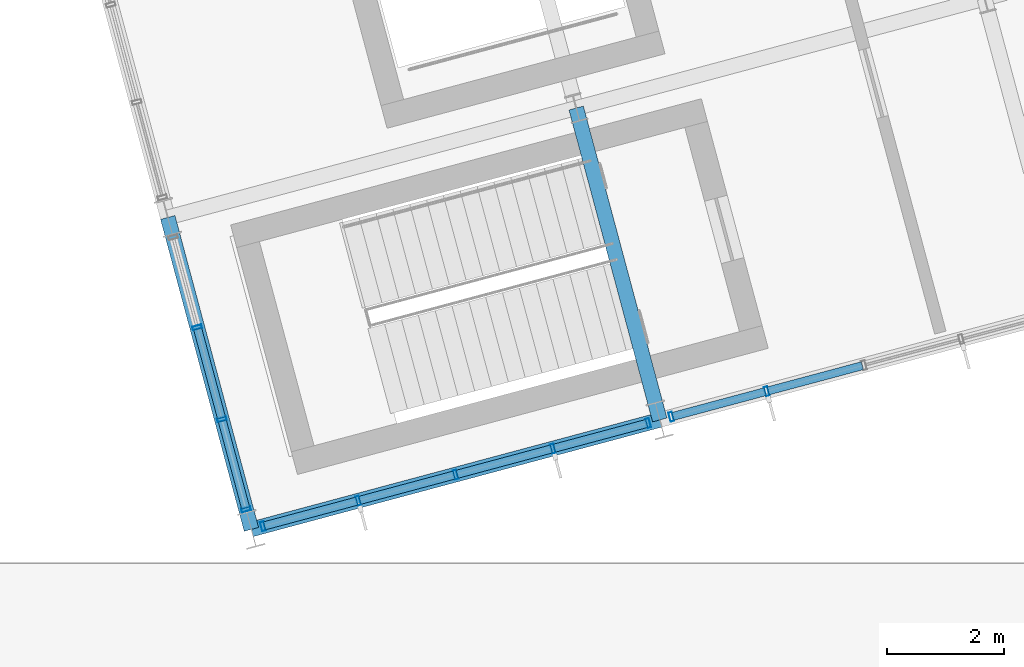
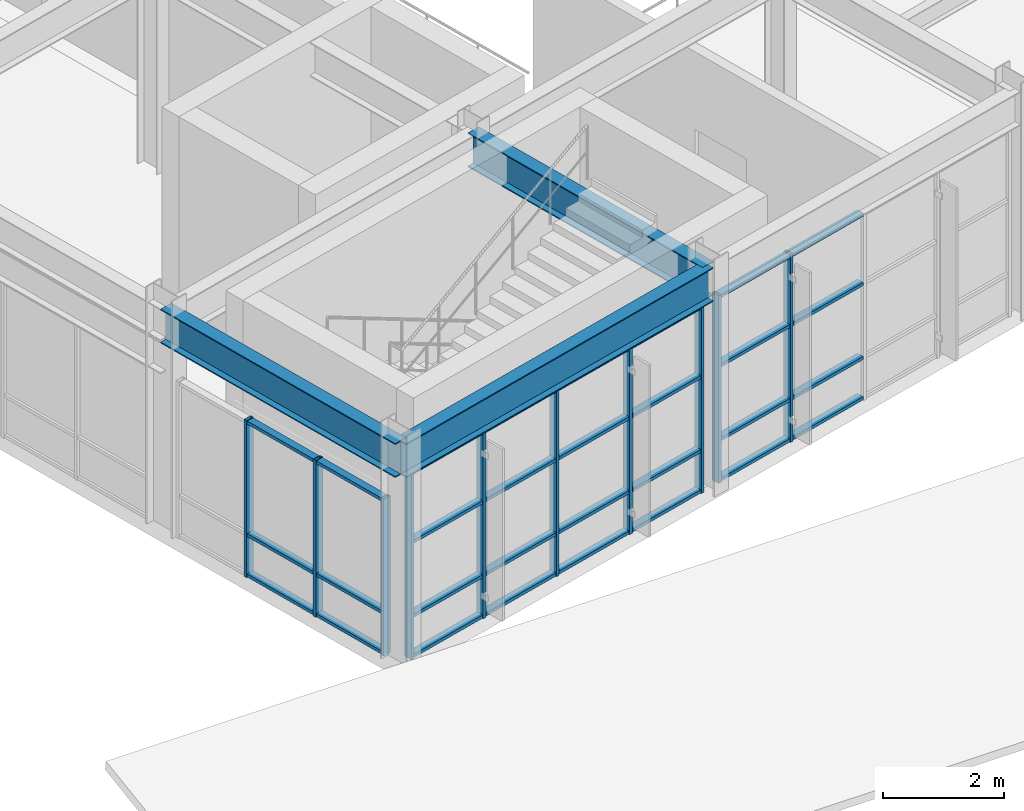
# One storey, part 35 of 104: 40 members, 3 beams, 3 elements without a shape of their own.
"""IFC4 building model written with IfcOpenShell, lengths in metres."""

from ifc_helpers import new_model, si_unit, direction, frame, origin, origin_2d, place, context, subcontext, project, spatial, hollow_rectangle, i_section, extrude, material, layer, layer_set, material_profile, profile_set, type_object, element, aggregate, save


model = new_model("IFC4")

# Units and contexts
model_context = context("Model", 3, precision=1e-05, world=origin(), true_north=direction((0.0, 1.0)))
body_context = subcontext(model_context, "Body", "Model", "MODEL_VIEW")
ifc_project = project(units=[si_unit("LENGTHUNIT", "METRE"), si_unit("AREAUNIT", "SQUARE_METRE"), si_unit("VOLUMEUNIT", "CUBIC_METRE"), si_unit("PLANEANGLEUNIT", "RADIAN"), si_unit("MASSUNIT", "GRAM", prefix="KILO")], contexts=[model_context])

# Site, building, storey
site_placement = place(None, origin())
site = spatial("IfcSite", under=ifc_project, at=site_placement, CompositionType="ELEMENT")
building_placement = place(site_placement, origin())
building = spatial("IfcBuilding", under=site, at=building_placement, Name="Ventoquebrada Cableway Terminal", CompositionType="ELEMENT")
storey_placement = place(building_placement, frame((0.0, 0.0, 4.800048828125)))
storey = spatial("IfcBuildingStorey", under=building, at=storey_placement, Name="L01", CompositionType="ELEMENT", Elevation=4.800048828125)

# Beams
ifc_material_1 = material(Name="Steel ASTM A992 Grade 50", Category="steel")
ifc_material_profile_1 = material_profile(ifc_material_1, i_section(OverallWidth=0.25390625, OverallDepth=0.68798828125, WebThickness=0.01318359375, FlangeThickness=0.02099609375, at=origin_2d()), Name="W27X102")
ifc_profile_set_1 = profile_set([ifc_material_profile_1], Name="Steel ASTM A992 Grade 50")
beam_type = type_object("IfcBeamType", Name="BM-ST04", PredefinedType="BEAM", material=ifc_profile_set_1)
beam_1_placement = place(storey_placement, frame((51.97802734375, 69.783935546875, 4.130859375), z_axis=(-0.258897298886, 0.965904854853, 0.0), x_axis=(-0.965904854853, -0.258897298886, 0.0)))
element("IfcBeam", 1, at=beam_1_placement, inside=storey, type_object=beam_type, Name="Splayed station girder FBM-1017", PredefinedType="BEAM", context=body_context, shape_type="SweptSolid", body=[
    extrude(i_section(OverallWidth=0.25390625, OverallDepth=0.68798828125, WebThickness=0.01318359375, FlangeThickness=0.02099609375, at=origin_2d()), origin(), (0.0, 0.0, 1.0), 5.50048828125),
])
beam_2_placement = place(storey_placement, frame((58.93310546875, 71.64794921875, 4.130859375), z_axis=(-0.258941703614, 0.965892951693, 0.0), x_axis=(-0.965892951693, -0.258941703614, 0.0)))
element("IfcBeam", 2, at=beam_2_placement, inside=storey, type_object=beam_type, Name="Splayed station girder FBM-1021", PredefinedType="BEAM", context=body_context, shape_type="SweptSolid", body=[
    extrude(i_section(OverallWidth=0.25390625, OverallDepth=0.68798828125, WebThickness=0.01318359375, FlangeThickness=0.02099609375, at=origin_2d()), origin(), (0.0, 0.0, 1.0), 5.49951171875),
])
beam_3_placement = place(storey_placement, frame((51.97802734375, 69.783935546875, 4.130859375), z_axis=(0.96591172503, 0.258871665986, 0.0), x_axis=(-0.258871665986, 0.96591172503, 0.0)))
element("IfcBeam", 3, at=beam_3_placement, inside=storey, type_object=beam_type, Name="Splayed station girder FBM-1041", PredefinedType="BEAM", context=body_context, shape_type="SweptSolid", body=[
    extrude(i_section(OverallWidth=0.25390625, OverallDepth=0.68798828125, WebThickness=0.01318359375, FlangeThickness=0.02099609375, at=origin_2d()), origin(), (0.0, 0.0, 1.0), 7.200439453125),
])

# Curtain wall, members
ifc_material_2 = material(Name="Anodized thermally-broken aluminium", Category="aluminium")
ifc_layer_1 = layer(ifc_material_2, 0.159912109375)
ifc_layer_set_1 = layer_set([ifc_layer_1], Name="Anodized thermally-broken aluminium")
curtain_wall_type_1 = type_object("IfcCurtainWallType", Name="CW-T36", PredefinedType="USERDEFINED", material=ifc_layer_set_1)
curtain_wall_1_placement = place(storey_placement, origin())
curtain_wall_1 = element("IfcCurtainWall", 4, at=curtain_wall_1_placement, inside=storey, type_object=curtain_wall_type_1, Name="Unitised glazed curtain wall CW-083", ObjectType="UNITISED CURTAIN WALL", PredefinedType="USERDEFINED")
ifc_material_profile_2 = material_profile(ifc_material_2, hollow_rectangle(XDim=0.06494140625, YDim=0.159912109375, WallThickness=0.00390625, at=origin_2d()), Name="CW-MUL-65X160")
ifc_profile_set_2 = profile_set([ifc_material_profile_2], Name="Anodized thermally-broken aluminium")
member_type_1 = type_object("IfcMemberType", Name="CWM-01", PredefinedType="MULLION", material=ifc_profile_set_2)
member_1_placement = place(storey_placement, frame((52.175048828125, 69.8369140625, -0.008056640625), z_axis=(0.0, 0.0, 1.0), x_axis=(0.96593486019, 0.258785327773, 0.0)))
member_1 = element("IfcMember", 5, at=member_1_placement, type_object=member_type_1, Name="Curtain wall mullion FML-0404", PredefinedType="MULLION", context=body_context, shape_type="SweptSolid", body=[
    extrude(hollow_rectangle(XDim=0.06494140625, YDim=0.159912109375, WallThickness=0.00390625, at=origin_2d()), origin(), (0.0, 0.0, 1.0), 3.794921875),
])
member_2_placement = place(storey_placement, frame((53.798095703125, 70.27197265625, -0.008056640625), z_axis=(0.0, 0.0, 1.0), x_axis=(0.96593486019, 0.258785327773, 0.0)))
member_2 = element("IfcMember", 6, at=member_2_placement, type_object=member_type_1, Name="Curtain wall mullion FML-0405", PredefinedType="MULLION", context=body_context, shape_type="SweptSolid", body=[
    extrude(hollow_rectangle(XDim=0.06494140625, YDim=0.159912109375, WallThickness=0.00390625, at=origin_2d()), origin(), (0.0, 0.0, 1.0), 3.794921875),
])
member_3_placement = place(storey_placement, frame((55.4560546875, 70.716064453125, -0.008056640625), z_axis=(0.0, 0.0, 1.0), x_axis=(0.96593486019, 0.258785327773, 0.0)))
member_3 = element("IfcMember", 7, at=member_3_placement, type_object=member_type_1, Name="Curtain wall mullion FML-0406", PredefinedType="MULLION", context=body_context, shape_type="SweptSolid", body=[
    extrude(hollow_rectangle(XDim=0.06494140625, YDim=0.159912109375, WallThickness=0.00390625, at=origin_2d()), origin(), (0.0, 0.0, 1.0), 3.794921875),
])
member_4_placement = place(storey_placement, frame((57.113037109375, 71.159912109375, -0.008056640625), z_axis=(0.0, 0.0, 1.0), x_axis=(0.96593486019, 0.258785327773, 0.0)))
member_4 = element("IfcMember", 8, at=member_4_placement, type_object=member_type_1, Name="Curtain wall mullion FML-0407", PredefinedType="MULLION", context=body_context, shape_type="SweptSolid", body=[
    extrude(hollow_rectangle(XDim=0.06494140625, YDim=0.159912109375, WallThickness=0.00390625, at=origin_2d()), origin(), (0.0, 0.0, 1.0), 3.794921875),
])
member_5_placement = place(storey_placement, frame((58.736083984375, 71.594970703125, -0.008056640625), z_axis=(0.0, 0.0, 1.0), x_axis=(0.96593486019, 0.258785327773, 0.0)))
member_5 = element("IfcMember", 9, at=member_5_placement, type_object=member_type_1, Name="Curtain wall mullion FML-0408", PredefinedType="MULLION", context=body_context, shape_type="SweptSolid", body=[
    extrude(hollow_rectangle(XDim=0.06494140625, YDim=0.159912109375, WallThickness=0.00390625, at=origin_2d()), origin(), (0.0, 0.0, 1.0), 3.794921875),
])

ifc_layer_2 = layer(ifc_material_2, 0.159912109375)
ifc_layer_set_2 = layer_set([ifc_layer_2], Name="Anodized thermally-broken aluminium")
curtain_wall_type_2 = type_object("IfcCurtainWallType", Name="CW-T37", PredefinedType="USERDEFINED", material=ifc_layer_set_2)
curtain_wall_2_placement = place(storey_placement, origin())
curtain_wall_2 = element("IfcCurtainWall", 10, at=curtain_wall_2_placement, inside=storey, type_object=curtain_wall_type_2, Name="Unitised glazed curtain wall CW-084", ObjectType="UNITISED CURTAIN WALL", PredefinedType="USERDEFINED")
member_6_placement = place(storey_placement, frame((59.1298828125, 71.700927734375, -0.008056640625), z_axis=(0.0, 0.0, 1.0), x_axis=(0.965961954829, 0.258684173892, 0.0)))
member_6 = element("IfcMember", 11, at=member_6_placement, type_object=member_type_1, Name="Curtain wall mullion FML-0409", PredefinedType="MULLION", context=body_context, shape_type="SweptSolid", body=[
    extrude(hollow_rectangle(XDim=0.06494140625, YDim=0.159912109375, WallThickness=0.00390625, at=origin_2d()), origin(), (0.0, 0.0, 1.0), 3.794921875),
])
member_7_placement = place(storey_placement, frame((60.7529296875, 72.135986328125, -0.008056640625), z_axis=(0.0, 0.0, 1.0), x_axis=(0.965961954829, 0.258684173892, 0.0)))
member_7 = element("IfcMember", 12, at=member_7_placement, type_object=member_type_1, Name="Curtain wall mullion FML-0410", PredefinedType="MULLION", context=body_context, shape_type="SweptSolid", body=[
    extrude(hollow_rectangle(XDim=0.06494140625, YDim=0.159912109375, WallThickness=0.00390625, at=origin_2d()), origin(), (0.0, 0.0, 1.0), 3.794921875),
])

ifc_layer_3 = layer(ifc_material_2, 0.159912109375)
ifc_layer_set_3 = layer_set([ifc_layer_3], Name="Anodized thermally-broken aluminium")
curtain_wall_type_3 = type_object("IfcCurtainWallType", Name="CW-T38", PredefinedType="USERDEFINED", material=ifc_layer_set_3)
curtain_wall_3_placement = place(storey_placement, origin())
curtain_wall_3 = element("IfcCurtainWall", 13, at=curtain_wall_3_placement, inside=storey, type_object=curtain_wall_type_3, Name="Unitised glazed curtain wall CW-093", ObjectType="UNITISED CURTAIN WALL", PredefinedType="USERDEFINED")
member_8_placement = place(storey_placement, frame((51.055908203125, 73.22412109375, -0.008056640625), z_axis=(0.0, 0.0, 1.0), x_axis=(0.258785327773, -0.96593486019, 0.0)))
member_8 = element("IfcMember", 14, at=member_8_placement, type_object=member_type_1, Name="Curtain wall mullion FML-0455", PredefinedType="MULLION", context=body_context, shape_type="SweptSolid", body=[
    extrude(hollow_rectangle(XDim=0.06494140625, YDim=0.159912109375, WallThickness=0.00390625, at=origin_2d()), origin(), (0.0, 0.0, 1.0), 3.173095703125),
])
member_9_placement = place(storey_placement, frame((51.47607421875, 71.656982421875, -0.008056640625), z_axis=(0.0, 0.0, 1.0), x_axis=(0.258785327773, -0.96593486019, 0.0)))
member_9 = element("IfcMember", 15, at=member_9_placement, type_object=member_type_1, Name="Curtain wall mullion FML-0456", PredefinedType="MULLION", context=body_context, shape_type="SweptSolid", body=[
    extrude(hollow_rectangle(XDim=0.06494140625, YDim=0.159912109375, WallThickness=0.00390625, at=origin_2d()), origin(), (0.0, 0.0, 1.0), 3.173095703125),
])
member_10_placement = place(storey_placement, frame((51.886962890625, 70.123046875, -0.008056640625), z_axis=(0.0, 0.0, 1.0), x_axis=(0.258785327773, -0.96593486019, 0.0)))
member_10 = element("IfcMember", 16, at=member_10_placement, type_object=member_type_1, Name="Curtain wall mullion FML-0457", PredefinedType="MULLION", context=body_context, shape_type="SweptSolid", body=[
    extrude(hollow_rectangle(XDim=0.06494140625, YDim=0.159912109375, WallThickness=0.00390625, at=origin_2d()), origin(), (0.0, 0.0, 1.0), 3.173095703125),
])

# Member
ifc_material_profile_3 = material_profile(ifc_material_2, hollow_rectangle(XDim=0.06494140625, YDim=0.139892578125, WallThickness=0.00390625, at=origin_2d()), Name="CW-TRN-65X140")
ifc_profile_set_3 = profile_set([ifc_material_profile_3], Name="Anodized thermally-broken aluminium")
member_type_2 = type_object("IfcMemberType", Name="CWT-01", PredefinedType="USERDEFINED", material=ifc_profile_set_3)
member_11_placement = place(storey_placement, frame((52.200927734375, 69.843994140625, 0.034912109375), z_axis=(0.965935321875, 0.258783604493, 0.0), x_axis=(0.0, 0.0, 1.0)))
member_11 = element("IfcMember", 17, at=member_11_placement, type_object=member_type_2, Name="Curtain wall transom FTR-1192", ObjectType="TRANSOM", PredefinedType="USERDEFINED", context=body_context, shape_type="SweptSolid", body=[
    extrude(hollow_rectangle(XDim=0.06494140625, YDim=0.139892578125, WallThickness=0.00390625, at=origin_2d()), origin(), (0.0, 0.0, 1.0), 1.62646484375),
])

member_12_placement = place(storey_placement, frame((52.200927734375, 69.843994140625, 0.849853515625), z_axis=(0.965935321875, 0.258783604493, 0.0), x_axis=(0.0, 0.0, 1.0)))
member_12 = element("IfcMember", 18, at=member_12_placement, type_object=member_type_2, Name="Curtain wall transom FTR-1193", ObjectType="TRANSOM", PredefinedType="USERDEFINED", context=body_context, shape_type="SweptSolid", body=[
    extrude(hollow_rectangle(XDim=0.06494140625, YDim=0.139892578125, WallThickness=0.00390625, at=origin_2d()), origin(), (0.0, 0.0, 1.0), 1.62646484375),
])

member_13_placement = place(storey_placement, frame((52.200927734375, 69.843994140625, 2.344970703125), z_axis=(0.965935321875, 0.258783604493, 0.0), x_axis=(0.0, 0.0, 1.0)))
member_13 = element("IfcMember", 19, at=member_13_placement, type_object=member_type_2, Name="Curtain wall transom FTR-1194", ObjectType="TRANSOM", PredefinedType="USERDEFINED", context=body_context, shape_type="SweptSolid", body=[
    extrude(hollow_rectangle(XDim=0.06494140625, YDim=0.139892578125, WallThickness=0.00390625, at=origin_2d()), origin(), (0.0, 0.0, 1.0), 1.62646484375),
])

member_14_placement = place(storey_placement, frame((52.200927734375, 69.843994140625, 3.7470703125), z_axis=(0.965935321875, 0.258783604493, 0.0), x_axis=(0.0, 0.0, 1.0)))
member_14 = element("IfcMember", 20, at=member_14_placement, type_object=member_type_2, Name="Curtain wall transom FTR-1195", ObjectType="TRANSOM", PredefinedType="USERDEFINED", context=body_context, shape_type="SweptSolid", body=[
    extrude(hollow_rectangle(XDim=0.06494140625, YDim=0.139892578125, WallThickness=0.00390625, at=origin_2d()), origin(), (0.0, 0.0, 1.0), 1.62646484375),
])

member_15_placement = place(storey_placement, frame((53.824951171875, 70.279052734375, 0.034912109375), z_axis=(0.965904733217, 0.258897752693, 0.0), x_axis=(0.0, 0.0, 1.0)))
member_15 = element("IfcMember", 21, at=member_15_placement, type_object=member_type_2, Name="Curtain wall transom FTR-1196", ObjectType="TRANSOM", PredefinedType="USERDEFINED", context=body_context, shape_type="SweptSolid", body=[
    extrude(hollow_rectangle(XDim=0.06494140625, YDim=0.139892578125, WallThickness=0.00390625, at=origin_2d()), origin(), (0.0, 0.0, 1.0), 1.66064453125),
])

member_16_placement = place(storey_placement, frame((53.824951171875, 70.279052734375, 0.849853515625), z_axis=(0.965904733217, 0.258897752693, 0.0), x_axis=(0.0, 0.0, 1.0)))
member_16 = element("IfcMember", 22, at=member_16_placement, type_object=member_type_2, Name="Curtain wall transom FTR-1197", ObjectType="TRANSOM", PredefinedType="USERDEFINED", context=body_context, shape_type="SweptSolid", body=[
    extrude(hollow_rectangle(XDim=0.06494140625, YDim=0.139892578125, WallThickness=0.00390625, at=origin_2d()), origin(), (0.0, 0.0, 1.0), 1.66064453125),
])

member_17_placement = place(storey_placement, frame((53.824951171875, 70.279052734375, 2.344970703125), z_axis=(0.965904733217, 0.258897752693, 0.0), x_axis=(0.0, 0.0, 1.0)))
member_17 = element("IfcMember", 23, at=member_17_placement, type_object=member_type_2, Name="Curtain wall transom FTR-1198", ObjectType="TRANSOM", PredefinedType="USERDEFINED", context=body_context, shape_type="SweptSolid", body=[
    extrude(hollow_rectangle(XDim=0.06494140625, YDim=0.139892578125, WallThickness=0.00390625, at=origin_2d()), origin(), (0.0, 0.0, 1.0), 1.66064453125),
])

member_18_placement = place(storey_placement, frame((53.824951171875, 70.279052734375, 3.7470703125), z_axis=(0.965904733217, 0.258897752693, 0.0), x_axis=(0.0, 0.0, 1.0)))
member_18 = element("IfcMember", 24, at=member_18_placement, type_object=member_type_2, Name="Curtain wall transom FTR-1199", ObjectType="TRANSOM", PredefinedType="USERDEFINED", context=body_context, shape_type="SweptSolid", body=[
    extrude(hollow_rectangle(XDim=0.06494140625, YDim=0.139892578125, WallThickness=0.00390625, at=origin_2d()), origin(), (0.0, 0.0, 1.0), 1.66064453125),
])

member_19_placement = place(storey_placement, frame((55.48193359375, 70.722900390625, 0.034912109375), z_axis=(0.965867960138, 0.259034908031, 0.0), x_axis=(0.0, 0.0, 1.0)))
member_19 = element("IfcMember", 25, at=member_19_placement, type_object=member_type_2, Name="Curtain wall transom FTR-1200", ObjectType="TRANSOM", PredefinedType="USERDEFINED", context=body_context, shape_type="SweptSolid", body=[
    extrude(hollow_rectangle(XDim=0.06494140625, YDim=0.139892578125, WallThickness=0.00390625, at=origin_2d()), origin(), (0.0, 0.0, 1.0), 1.66064453125),
])

member_20_placement = place(storey_placement, frame((55.48193359375, 70.722900390625, 0.849853515625), z_axis=(0.965867960138, 0.259034908031, 0.0), x_axis=(0.0, 0.0, 1.0)))
member_20 = element("IfcMember", 26, at=member_20_placement, type_object=member_type_2, Name="Curtain wall transom FTR-1201", ObjectType="TRANSOM", PredefinedType="USERDEFINED", context=body_context, shape_type="SweptSolid", body=[
    extrude(hollow_rectangle(XDim=0.06494140625, YDim=0.139892578125, WallThickness=0.00390625, at=origin_2d()), origin(), (0.0, 0.0, 1.0), 1.66064453125),
])

member_21_placement = place(storey_placement, frame((55.48193359375, 70.722900390625, 2.344970703125), z_axis=(0.965867960138, 0.259034908031, 0.0), x_axis=(0.0, 0.0, 1.0)))
member_21 = element("IfcMember", 27, at=member_21_placement, type_object=member_type_2, Name="Curtain wall transom FTR-1202", ObjectType="TRANSOM", PredefinedType="USERDEFINED", context=body_context, shape_type="SweptSolid", body=[
    extrude(hollow_rectangle(XDim=0.06494140625, YDim=0.139892578125, WallThickness=0.00390625, at=origin_2d()), origin(), (0.0, 0.0, 1.0), 1.66064453125),
])

member_22_placement = place(storey_placement, frame((55.48193359375, 70.722900390625, 3.7470703125), z_axis=(0.965867960138, 0.259034908031, 0.0), x_axis=(0.0, 0.0, 1.0)))
member_22 = element("IfcMember", 28, at=member_22_placement, type_object=member_type_2, Name="Curtain wall transom FTR-1203", ObjectType="TRANSOM", PredefinedType="USERDEFINED", context=body_context, shape_type="SweptSolid", body=[
    extrude(hollow_rectangle(XDim=0.06494140625, YDim=0.139892578125, WallThickness=0.00390625, at=origin_2d()), origin(), (0.0, 0.0, 1.0), 1.66064453125),
])

member_23_placement = place(storey_placement, frame((57.138916015625, 71.1669921875, 0.034912109375), z_axis=(0.965935321875, 0.258783604493, 0.0), x_axis=(0.0, 0.0, 1.0)))
member_23 = element("IfcMember", 29, at=member_23_placement, type_object=member_type_2, Name="Curtain wall transom FTR-1204", ObjectType="TRANSOM", PredefinedType="USERDEFINED", context=body_context, shape_type="SweptSolid", body=[
    extrude(hollow_rectangle(XDim=0.06494140625, YDim=0.139892578125, WallThickness=0.00390625, at=origin_2d()), origin(), (0.0, 0.0, 1.0), 1.62646484375),
])

member_24_placement = place(storey_placement, frame((57.138916015625, 71.1669921875, 0.849853515625), z_axis=(0.965935321875, 0.258783604493, 0.0), x_axis=(0.0, 0.0, 1.0)))
member_24 = element("IfcMember", 30, at=member_24_placement, type_object=member_type_2, Name="Curtain wall transom FTR-1205", ObjectType="TRANSOM", PredefinedType="USERDEFINED", context=body_context, shape_type="SweptSolid", body=[
    extrude(hollow_rectangle(XDim=0.06494140625, YDim=0.139892578125, WallThickness=0.00390625, at=origin_2d()), origin(), (0.0, 0.0, 1.0), 1.62646484375),
])

member_25_placement = place(storey_placement, frame((57.138916015625, 71.1669921875, 2.344970703125), z_axis=(0.965935321875, 0.258783604493, 0.0), x_axis=(0.0, 0.0, 1.0)))
member_25 = element("IfcMember", 31, at=member_25_placement, type_object=member_type_2, Name="Curtain wall transom FTR-1206", ObjectType="TRANSOM", PredefinedType="USERDEFINED", context=body_context, shape_type="SweptSolid", body=[
    extrude(hollow_rectangle(XDim=0.06494140625, YDim=0.139892578125, WallThickness=0.00390625, at=origin_2d()), origin(), (0.0, 0.0, 1.0), 1.62646484375),
])

member_26_placement = place(storey_placement, frame((57.138916015625, 71.1669921875, 3.7470703125), z_axis=(0.965935321875, 0.258783604493, 0.0), x_axis=(0.0, 0.0, 1.0)))
member_26 = element("IfcMember", 32, at=member_26_placement, type_object=member_type_2, Name="Curtain wall transom FTR-1207", ObjectType="TRANSOM", PredefinedType="USERDEFINED", context=body_context, shape_type="SweptSolid", body=[
    extrude(hollow_rectangle(XDim=0.06494140625, YDim=0.139892578125, WallThickness=0.00390625, at=origin_2d()), origin(), (0.0, 0.0, 1.0), 1.62646484375),
])

aggregate(curtain_wall_1, [member_1, member_2, member_3, member_4, member_5, member_11, member_12, member_13, member_14, member_15, member_16, member_17, member_18, member_19, member_20, member_21, member_22, member_23, member_24, member_25, member_26])

member_27_placement = place(storey_placement, frame((59.156005859375, 71.7080078125, 0.034912109375), z_axis=(0.965895076966, 0.258933775881, 0.0), x_axis=(0.0, 0.0, 1.0)))
member_27 = element("IfcMember", 33, at=member_27_placement, type_object=member_type_2, Name="Curtain wall transom FTR-1208", ObjectType="TRANSOM", PredefinedType="USERDEFINED", context=body_context, shape_type="SweptSolid", body=[
    extrude(hollow_rectangle(XDim=0.06494140625, YDim=0.139892578125, WallThickness=0.00390625, at=origin_2d()), origin(), (0.0, 0.0, 1.0), 1.62548828125),
])

member_28_placement = place(storey_placement, frame((59.156005859375, 71.7080078125, 0.849853515625), z_axis=(0.965895076966, 0.258933775881, 0.0), x_axis=(0.0, 0.0, 1.0)))
member_28 = element("IfcMember", 34, at=member_28_placement, type_object=member_type_2, Name="Curtain wall transom FTR-1209", ObjectType="TRANSOM", PredefinedType="USERDEFINED", context=body_context, shape_type="SweptSolid", body=[
    extrude(hollow_rectangle(XDim=0.06494140625, YDim=0.139892578125, WallThickness=0.00390625, at=origin_2d()), origin(), (0.0, 0.0, 1.0), 1.62548828125),
])

member_29_placement = place(storey_placement, frame((59.156005859375, 71.7080078125, 2.344970703125), z_axis=(0.965895076966, 0.258933775881, 0.0), x_axis=(0.0, 0.0, 1.0)))
member_29 = element("IfcMember", 35, at=member_29_placement, type_object=member_type_2, Name="Curtain wall transom FTR-1210", ObjectType="TRANSOM", PredefinedType="USERDEFINED", context=body_context, shape_type="SweptSolid", body=[
    extrude(hollow_rectangle(XDim=0.06494140625, YDim=0.139892578125, WallThickness=0.00390625, at=origin_2d()), origin(), (0.0, 0.0, 1.0), 1.62548828125),
])

member_30_placement = place(storey_placement, frame((59.156005859375, 71.7080078125, 3.7470703125), z_axis=(0.965895076966, 0.258933775881, 0.0), x_axis=(0.0, 0.0, 1.0)))
member_30 = element("IfcMember", 36, at=member_30_placement, type_object=member_type_2, Name="Curtain wall transom FTR-1211", ObjectType="TRANSOM", PredefinedType="USERDEFINED", context=body_context, shape_type="SweptSolid", body=[
    extrude(hollow_rectangle(XDim=0.06494140625, YDim=0.139892578125, WallThickness=0.00390625, at=origin_2d()), origin(), (0.0, 0.0, 1.0), 1.62548828125),
])

member_31_placement = place(storey_placement, frame((60.780029296875, 72.14306640625, 0.034912109375), z_axis=(0.966012368976, 0.258495847135, 0.0), x_axis=(0.0, 0.0, 1.0)))
member_31 = element("IfcMember", 37, at=member_31_placement, type_object=member_type_2, Name="Curtain wall transom FTR-1212", ObjectType="TRANSOM", PredefinedType="USERDEFINED", context=body_context, shape_type="SweptSolid", body=[
    extrude(hollow_rectangle(XDim=0.06494140625, YDim=0.139892578125, WallThickness=0.00390625, at=origin_2d()), origin(), (0.0, 0.0, 1.0), 1.659423828125),
])

member_32_placement = place(storey_placement, frame((60.780029296875, 72.14306640625, 0.849853515625), z_axis=(0.966012368976, 0.258495847135, 0.0), x_axis=(0.0, 0.0, 1.0)))
member_32 = element("IfcMember", 38, at=member_32_placement, type_object=member_type_2, Name="Curtain wall transom FTR-1213", ObjectType="TRANSOM", PredefinedType="USERDEFINED", context=body_context, shape_type="SweptSolid", body=[
    extrude(hollow_rectangle(XDim=0.06494140625, YDim=0.139892578125, WallThickness=0.00390625, at=origin_2d()), origin(), (0.0, 0.0, 1.0), 1.659423828125),
])

member_33_placement = place(storey_placement, frame((60.780029296875, 72.14306640625, 2.344970703125), z_axis=(0.966012368976, 0.258495847135, 0.0), x_axis=(0.0, 0.0, 1.0)))
member_33 = element("IfcMember", 39, at=member_33_placement, type_object=member_type_2, Name="Curtain wall transom FTR-1214", ObjectType="TRANSOM", PredefinedType="USERDEFINED", context=body_context, shape_type="SweptSolid", body=[
    extrude(hollow_rectangle(XDim=0.06494140625, YDim=0.139892578125, WallThickness=0.00390625, at=origin_2d()), origin(), (0.0, 0.0, 1.0), 1.659423828125),
])

member_34_placement = place(storey_placement, frame((60.780029296875, 72.14306640625, 3.7470703125), z_axis=(0.966012368976, 0.258495847135, 0.0), x_axis=(0.0, 0.0, 1.0)))
member_34 = element("IfcMember", 40, at=member_34_placement, type_object=member_type_2, Name="Curtain wall transom FTR-1215", ObjectType="TRANSOM", PredefinedType="USERDEFINED", context=body_context, shape_type="SweptSolid", body=[
    extrude(hollow_rectangle(XDim=0.06494140625, YDim=0.139892578125, WallThickness=0.00390625, at=origin_2d()), origin(), (0.0, 0.0, 1.0), 1.659423828125),
])

aggregate(curtain_wall_2, [member_6, member_7, member_27, member_28, member_29, member_30, member_31, member_32, member_33, member_34])

member_35_placement = place(storey_placement, frame((51.06298828125, 73.197998046875, 0.034912109375), z_axis=(0.258873547184, -0.965911220852, 0.0), x_axis=(0.0, 0.0, 1.0)))
member_35 = element("IfcMember", 41, at=member_35_placement, type_object=member_type_2, Name="Curtain wall transom FTR-1355", ObjectType="TRANSOM", PredefinedType="USERDEFINED", context=body_context, shape_type="SweptSolid", body=[
    extrude(hollow_rectangle(XDim=0.06494140625, YDim=0.139892578125, WallThickness=0.00390625, at=origin_2d()), origin(), (0.0, 0.0, 1.0), 1.568359375),
])

member_36_placement = place(storey_placement, frame((51.06298828125, 73.197998046875, 0.849853515625), z_axis=(0.258873547184, -0.965911220852, 0.0), x_axis=(0.0, 0.0, 1.0)))
member_36 = element("IfcMember", 42, at=member_36_placement, type_object=member_type_2, Name="Curtain wall transom FTR-1356", ObjectType="TRANSOM", PredefinedType="USERDEFINED", context=body_context, shape_type="SweptSolid", body=[
    extrude(hollow_rectangle(XDim=0.06494140625, YDim=0.139892578125, WallThickness=0.00390625, at=origin_2d()), origin(), (0.0, 0.0, 1.0), 1.568359375),
])

member_37_placement = place(storey_placement, frame((51.06298828125, 73.197998046875, 3.125), z_axis=(0.258873547184, -0.965911220852, 0.0), x_axis=(0.0, 0.0, 1.0)))
member_37 = element("IfcMember", 43, at=member_37_placement, type_object=member_type_2, Name="Curtain wall transom FTR-1357", ObjectType="TRANSOM", PredefinedType="USERDEFINED", context=body_context, shape_type="SweptSolid", body=[
    extrude(hollow_rectangle(XDim=0.06494140625, YDim=0.139892578125, WallThickness=0.00390625, at=origin_2d()), origin(), (0.0, 0.0, 1.0), 1.568359375),
])

member_38_placement = place(storey_placement, frame((51.48291015625, 71.6298828125, 0.034912109375), z_axis=(0.258911184026, -0.965901133029, 0.0), x_axis=(0.0, 0.0, 1.0)))
member_38 = element("IfcMember", 44, at=member_38_placement, type_object=member_type_2, Name="Curtain wall transom FTR-1358", ObjectType="TRANSOM", PredefinedType="USERDEFINED", context=body_context, shape_type="SweptSolid", body=[
    extrude(hollow_rectangle(XDim=0.06494140625, YDim=0.139892578125, WallThickness=0.00390625, at=origin_2d()), origin(), (0.0, 0.0, 1.0), 1.533203125),
])

member_39_placement = place(storey_placement, frame((51.48291015625, 71.6298828125, 0.849853515625), z_axis=(0.258911184026, -0.965901133029, 0.0), x_axis=(0.0, 0.0, 1.0)))
member_39 = element("IfcMember", 45, at=member_39_placement, type_object=member_type_2, Name="Curtain wall transom FTR-1359", ObjectType="TRANSOM", PredefinedType="USERDEFINED", context=body_context, shape_type="SweptSolid", body=[
    extrude(hollow_rectangle(XDim=0.06494140625, YDim=0.139892578125, WallThickness=0.00390625, at=origin_2d()), origin(), (0.0, 0.0, 1.0), 1.533203125),
])

member_40_placement = place(storey_placement, frame((51.48291015625, 71.6298828125, 3.125), z_axis=(0.258911184026, -0.965901133029, 0.0), x_axis=(0.0, 0.0, 1.0)))
member_40 = element("IfcMember", 46, at=member_40_placement, type_object=member_type_2, Name="Curtain wall transom FTR-1360", ObjectType="TRANSOM", PredefinedType="USERDEFINED", context=body_context, shape_type="SweptSolid", body=[
    extrude(hollow_rectangle(XDim=0.06494140625, YDim=0.139892578125, WallThickness=0.00390625, at=origin_2d()), origin(), (0.0, 0.0, 1.0), 1.533203125),
])

aggregate(curtain_wall_3, [member_8, member_9, member_10, member_35, member_36, member_37, member_38, member_39, member_40])

save(model, "model.ifc")
